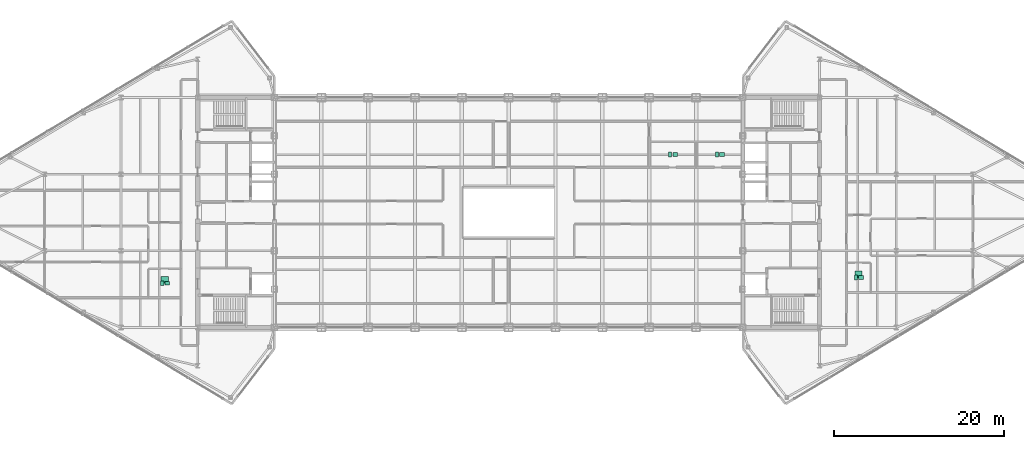
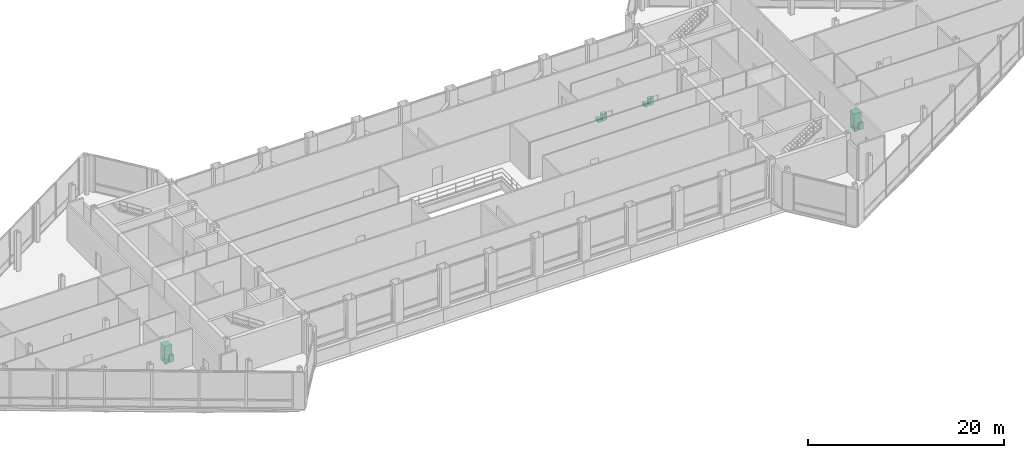
# One storey, part 30 of 30: 10 sanitary terminals.
"""IFC4 building model written with IfcOpenShell, lengths in metres."""

from ifc_helpers import new_model, si_unit, direction, frame, origin, origin_2d, place, context, subcontext, project, spatial, rectangle, extrude, source, transform, mapped, material, type_object, type_shapes, element, save


model = new_model("IFC4")

# Units and contexts
model_context = context("Model", 3, precision=1e-05, world=origin(), true_north=direction((0.0, 1.0)))
body_context = subcontext(model_context, "Body", "Model", "MODEL_VIEW")
ifc_project = project(units=[si_unit("LENGTHUNIT", "METRE"), si_unit("AREAUNIT", "SQUARE_METRE"), si_unit("VOLUMEUNIT", "CUBIC_METRE"), si_unit("PLANEANGLEUNIT", "RADIAN"), si_unit("MASSUNIT", "GRAM", prefix="KILO")], contexts=[model_context])

# Site, building, storey
site_placement = place(None, origin())
site = spatial("IfcSite", under=ifc_project, at=site_placement, CompositionType="ELEMENT")
building_placement = place(site_placement, origin())
building = spatial("IfcBuilding", under=site, at=building_placement, Name="Seokmaru Belvedere", CompositionType="ELEMENT")
storey_placement = place(building_placement, frame((0.0, 0.0, 234.60009765625)))
storey = spatial("IfcBuildingStorey", under=building, at=storey_placement, Name="L62", CompositionType="ELEMENT", Elevation=234.60009765625)

# Sanitary terminals
ifc_material_1 = material(Name="Vitreous China Sanitaryware")
sanitary_terminal_type_1 = type_object("IfcSanitaryTerminalType", Name="Wall-Hung Vitreous China WC Pan", PredefinedType="TOILETPAN", material=ifc_material_1)
shared_shape_1 = source(origin(), body_context, "Body", "SweptSolid", [
    extrude(rectangle(XDim=0.3798828125, YDim=0.56005859375, at=origin_2d()), origin(), (0.0, 0.0, 1.0), 0.419921875),
])
type_shapes(sanitary_terminal_type_1, [shared_shape_1])
for number, where, z_axis, x_axis, name in (
    (1, (-40.675048828125, -8.300048828125, 0.0), (0.0, 0.0, 1.0), (1.0, 0.0, 0.0), "L62 Vitreous China WC 0277"),
    (2, (40.77490234375, -7.64599609375, 0.0), (0.0, 0.0, 1.0), (1.0, 0.0, 0.0), "L62 Vitreous China WC 0278"),
    (3, (18.949951171875, 6.800048828125, 0.0), (0.0, 0.0, 1.0), (1.0, 0.0, 0.0), "L62 Vitreous China WC 0279"),
    (4, (24.449951171875, 6.800048828125, 0.0), (0.0, 0.0, 1.0), (1.0, 0.0, 0.0), "L62 Vitreous China WC 0280"),
):
    element("IfcSanitaryTerminal", number, at=place(storey_placement, frame(where, z_axis=z_axis, x_axis=x_axis)), inside=storey, type_object=sanitary_terminal_type_1, Name=name, PredefinedType="TOILETPAN", context=body_context, shape_type="MappedRepresentation", body=[
        mapped(shared_shape_1, transform((0.0, 0.0, 0.0), scale=1.0)),
    ])
sanitary_terminal_type_2 = type_object("IfcSanitaryTerminalType", Name="Countertop Ceramic Washhand Basin", PredefinedType="WASHHANDBASIN", material=ifc_material_1)
shared_shape_2 = source(origin(), body_context, "Body", "SweptSolid", [
    extrude(rectangle(XDim=0.550048828125, YDim=0.449951171875, at=origin_2d()), origin(), (0.0, 0.0, 1.0), 0.820068359375),
])
type_shapes(sanitary_terminal_type_2, [shared_shape_2])
for number, where, z_axis, x_axis, name in (
    (5, (-40.074951171875, -8.300048828125, 0.0), (0.0, 0.0, 1.0), (1.0, 0.0, 0.0), "L62 Ceramic Washhand Basin 0277"),
    (6, (41.375, -7.64599609375, 0.0), (0.0, 0.0, 1.0), (1.0, 0.0, 0.0), "L62 Ceramic Washhand Basin 0278"),
    (7, (19.550048828125, 6.800048828125, 0.0), (0.0, 0.0, 1.0), (1.0, 0.0, 0.0), "L62 Ceramic Washhand Basin 0279"),
    (8, (25.050048828125, 6.800048828125, 0.0), (0.0, 0.0, 1.0), (1.0, 0.0, 0.0), "L62 Ceramic Washhand Basin 0280"),
):
    element("IfcSanitaryTerminal", number, at=place(storey_placement, frame(where, z_axis=z_axis, x_axis=x_axis)), inside=storey, type_object=sanitary_terminal_type_2, Name=name, PredefinedType="WASHHANDBASIN", context=body_context, shape_type="MappedRepresentation", body=[
        mapped(shared_shape_2, transform((0.0, 0.0, 0.0), scale=1.0)),
    ])
ifc_material_2 = material(Name="Stainless Steel 316", Category="steel")
sanitary_terminal_type_3 = type_object("IfcSanitaryTerminalType", Name="Walk-In Thermostatic Rain Shower Enclosure", PredefinedType="SHOWER", material=ifc_material_2)
shared_shape_3 = source(origin(), body_context, "Body", "SweptSolid", [
    extrude(rectangle(XDim=0.85009765625, YDim=0.85009765625, at=origin_2d()), origin(), (0.0, 0.0, 1.0), 2.050048828125),
])
type_shapes(sanitary_terminal_type_3, [shared_shape_3])
for number, where, z_axis, x_axis, name in (
    (9, (-40.375, -7.919921875, 0.0), (0.0, 0.0, 1.0), (1.0, 0.0, 0.0), "L62 Walk-In Shower 0277"),
    (10, (41.074951171875, -7.26611328125, 0.0), (0.0, 0.0, 1.0), (1.0, 0.0, 0.0), "L62 Walk-In Shower 0278"),
):
    element("IfcSanitaryTerminal", number, at=place(storey_placement, frame(where, z_axis=z_axis, x_axis=x_axis)), inside=storey, type_object=sanitary_terminal_type_3, Name=name, PredefinedType="SHOWER", context=body_context, shape_type="MappedRepresentation", body=[
        mapped(shared_shape_3, transform((0.0, 0.0, 0.0), scale=1.0)),
    ])

save(model, "model.ifc")
